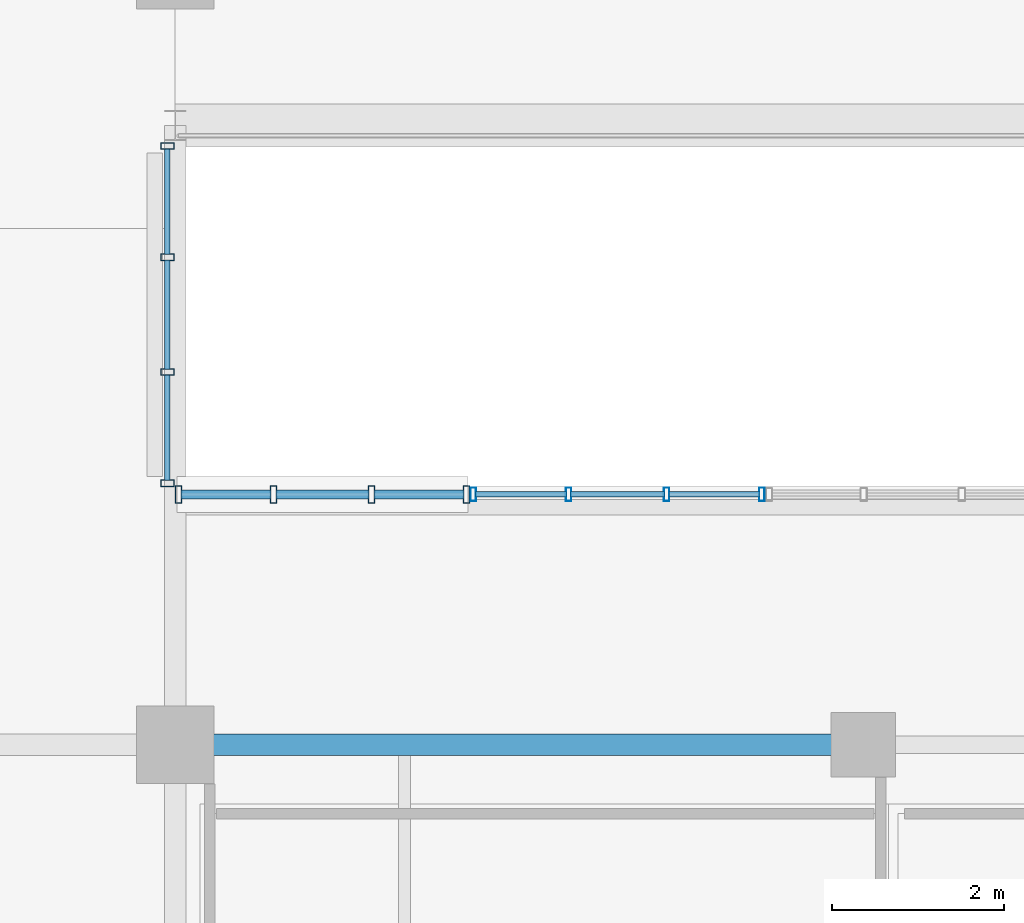
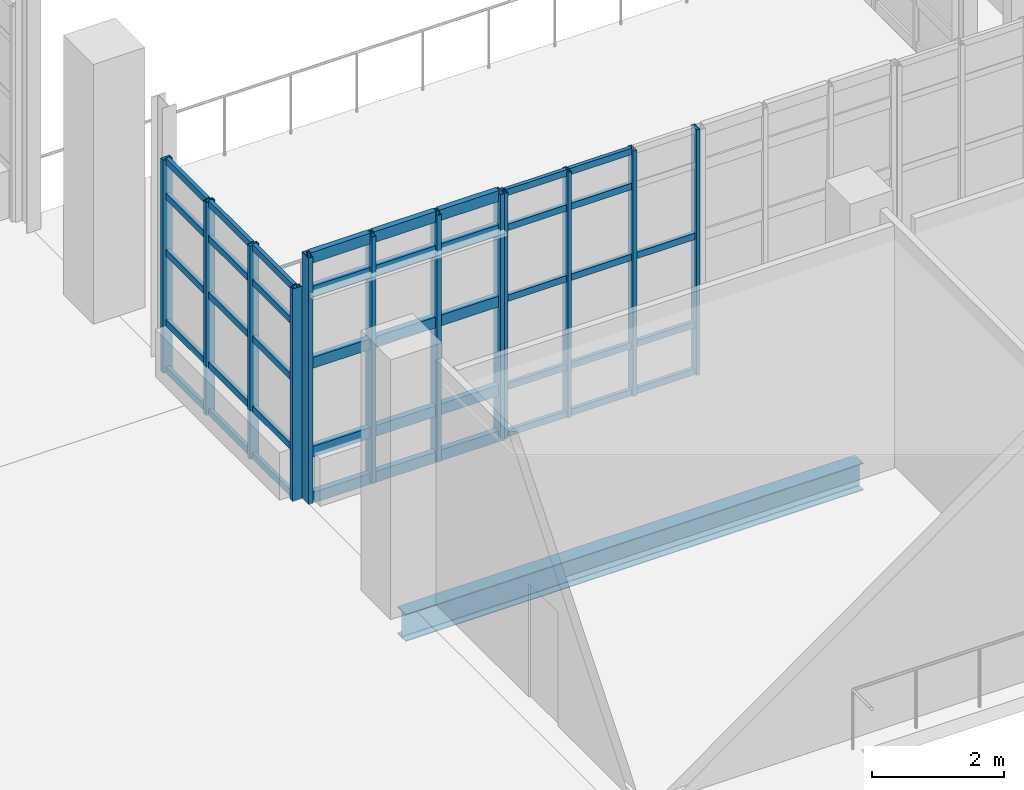
# One storey, part 21 of 100: 55 members, 1 beam, 3 elements without a shape of their own.
"""IFC4 building model written with IfcOpenShell, lengths in metres."""

from ifc_helpers import new_model, si_unit, derived_unit, direction, frame, origin, origin_2d, place, context, subcontext, project, spatial, hollow_rectangle, i_section, extrude, material, layer, layer_set, material_profile, profile_set, type_object, element, aggregate, save


model = new_model("IFC4")

# Units and contexts
model_context = context("Model", 3, precision=1e-05, world=origin(), true_north=direction((0.0, 1.0)))
body_context = subcontext(model_context, "Body", "Model", "MODEL_VIEW")
ifc_project = project(units=[si_unit("LENGTHUNIT", "METRE"), si_unit("AREAUNIT", "SQUARE_METRE"), si_unit("VOLUMEUNIT", "CUBIC_METRE"), si_unit("PLANEANGLEUNIT", "RADIAN"), si_unit("MASSUNIT", "GRAM", prefix="KILO"), derived_unit("THERMALTRANSMITTANCEUNIT", [(si_unit("POWERUNIT", "WATT"), 1), (si_unit("LENGTHUNIT", "METRE"), -2), (si_unit("THERMODYNAMICTEMPERATUREUNIT", "KELVIN"), -1)])], contexts=[model_context])

# Site, building, storey
site_placement = place(None, origin())
site = spatial("IfcSite", under=ifc_project, at=site_placement, CompositionType="ELEMENT")
building_placement = place(site_placement, origin())
building = spatial("IfcBuilding", under=site, at=building_placement, Name="Nallur Shell Playhouse", CompositionType="ELEMENT")
storey_placement = place(building_placement, frame((0.0, 0.0, 10.199951171875)))
storey = spatial("IfcBuildingStorey", under=building, at=storey_placement, Name="L03", CompositionType="ELEMENT", Elevation=10.199951171875)

# Beam
ifc_material_1 = material(Name="Steel E350", Category="steel")
ifc_material_profile_1 = material_profile(ifc_material_1, i_section(OverallWidth=0.25, OverallDepth=0.5, WebThickness=0.010009765625, FlangeThickness=0.0146484375, FilletRadius=0.014892578125, at=origin_2d()), Name="ISWB 500")
ifc_profile_set_1 = profile_set([ifc_material_profile_1], Name="Steel E350")
beam_type = type_object("IfcBeamType", Name="BM-ST-ISWB500", PredefinedType="BEAM", material=ifc_profile_set_1)
beam_placement = place(storey_placement, frame((40.0, 41.0, -0.510009765625), z_axis=(1.0, 0.0, 0.0), x_axis=(0.0, 1.0, 0.0)))
element("IfcBeam", 1, at=beam_placement, inside=storey, type_object=beam_type, Name="L03 girder X-E-595", PredefinedType="BEAM", context=body_context, shape_type="SweptSolid", body=[
    extrude(i_section(OverallWidth=0.25, OverallDepth=0.5, WebThickness=0.010009765625, FlangeThickness=0.0146484375, FilletRadius=0.014892578125, at=origin_2d()), origin(), (0.0, 0.0, 1.0), 8.0),
])

# Curtain wall, members
ifc_material_2 = material(Name="Anodised Aluminium Double-Glazed Facade System", Category="aluminium")
ifc_layer_1 = layer(ifc_material_2, 0.172119140625)
ifc_layer_set_1 = layer_set([ifc_layer_1], Name="Anodised Aluminium Double-Glazed Facade System")
curtain_wall_type_1 = type_object("IfcCurtainWallType", Name="CW-UNIT-27", PredefinedType="NOTDEFINED", material=ifc_layer_set_1)
curtain_wall_1_placement = place(storey_placement, origin())
curtain_wall_1 = element("IfcCurtainWall", 2, at=curtain_wall_1_placement, inside=storey, type_object=curtain_wall_type_1, Name="Unitised curtain wall CW-059 (L03)", PredefinedType="NOTDEFINED")
ifc_material_3 = material(Name="Aluminium Alloy 6063-T6 Mullion", Category="aluminium")
ifc_material_profile_2 = material_profile(ifc_material_3, hollow_rectangle(XDim=0.080078125, YDim=0.159912109375, WallThickness=0.006103515625, at=origin_2d()), Name="RHS 160x80x6")
ifc_profile_set_2 = profile_set([ifc_material_profile_2], Name="Aluminium Alloy 6063-T6 Mullion")
member_type_1 = type_object("IfcMemberType", Name="MB-CW-MUL150", PredefinedType="MULLION", material=ifc_profile_set_2)
member_1_placement = place(storey_placement, frame((39.909912109375, 47.9599609375, -0.014892578125), z_axis=(0.0, 0.0, 1.0), x_axis=(0.0, -1.0, 0.0)))
member_1 = element("IfcMember", 3, at=member_1_placement, type_object=member_type_1, Name="CW-27 mullion 1", PredefinedType="MULLION", context=body_context, shape_type="SweptSolid", body=[
    extrude(hollow_rectangle(XDim=0.080078125, YDim=0.159912109375, WallThickness=0.006103515625, at=origin_2d()), origin(), (0.0, 0.0, 1.0), 3.933837890625),
])
member_2_placement = place(storey_placement, frame((39.909912109375, 46.666748046875, -0.014892578125), z_axis=(0.0, 0.0, 1.0), x_axis=(0.0, -1.0, 0.0)))
member_2 = element("IfcMember", 4, at=member_2_placement, type_object=member_type_1, Name="CW-27 mullion 2", PredefinedType="MULLION", context=body_context, shape_type="SweptSolid", body=[
    extrude(hollow_rectangle(XDim=0.080078125, YDim=0.159912109375, WallThickness=0.006103515625, at=origin_2d()), origin(), (0.0, 0.0, 1.0), 3.933837890625),
])
member_3_placement = place(storey_placement, frame((39.909912109375, 45.333251953125, -0.014892578125), z_axis=(0.0, 0.0, 1.0), x_axis=(0.0, -1.0, 0.0)))
member_3 = element("IfcMember", 5, at=member_3_placement, type_object=member_type_1, Name="CW-27 mullion 3", PredefinedType="MULLION", context=body_context, shape_type="SweptSolid", body=[
    extrude(hollow_rectangle(XDim=0.080078125, YDim=0.159912109375, WallThickness=0.006103515625, at=origin_2d()), origin(), (0.0, 0.0, 1.0), 3.933837890625),
])
member_4_placement = place(storey_placement, frame((39.909912109375, 44.0400390625, -0.014892578125), z_axis=(0.0, 0.0, 1.0), x_axis=(0.0, -1.0, 0.0)))
member_4 = element("IfcMember", 6, at=member_4_placement, type_object=member_type_1, Name="CW-27 mullion 4", PredefinedType="MULLION", context=body_context, shape_type="SweptSolid", body=[
    extrude(hollow_rectangle(XDim=0.080078125, YDim=0.159912109375, WallThickness=0.006103515625, at=origin_2d()), origin(), (0.0, 0.0, 1.0), 3.933837890625),
])

ifc_layer_2 = layer(ifc_material_2, 0.179931640625)
ifc_layer_set_2 = layer_set([ifc_layer_2], Name="Anodised Aluminium Double-Glazed Facade System")
curtain_wall_type_2 = type_object("IfcCurtainWallType", Name="CW-UNIT-29", PredefinedType="NOTDEFINED", material=ifc_layer_set_2)
curtain_wall_2_placement = place(storey_placement, origin())
curtain_wall_2 = element("IfcCurtainWall", 7, at=curtain_wall_2_placement, inside=storey, type_object=curtain_wall_type_2, Name="Unitised curtain wall CW-061 (L03)", PredefinedType="NOTDEFINED")
ifc_material_profile_3 = material_profile(ifc_material_3, hollow_rectangle(XDim=0.06494140625, YDim=0.159912109375, WallThickness=0.00390625, at=origin_2d()), Name="ALU 65x160x4")
ifc_profile_set_3 = profile_set([ifc_material_profile_3], Name="Aluminium Alloy 6063-T6 Mullion")
member_type_2 = type_object("IfcMemberType", Name="MB-CW-MUL160", PredefinedType="MULLION", material=ifc_profile_set_3)
member_5_placement = place(storey_placement, frame((43.466064453125, 43.909912109375, -0.014892578125), z_axis=(0.0, 0.0, 1.0), x_axis=(1.0, 0.0, 0.0)))
member_5 = element("IfcMember", 8, at=member_5_placement, type_object=member_type_2, Name="CW-29 mullion 1", PredefinedType="MULLION", context=body_context, shape_type="SweptSolid", body=[
    extrude(hollow_rectangle(XDim=0.06494140625, YDim=0.159912109375, WallThickness=0.00390625, at=origin_2d()), origin(), (0.0, 0.0, 1.0), 4.5390625),
])
member_6_placement = place(storey_placement, frame((44.572998046875, 43.909912109375, -0.014892578125), z_axis=(0.0, 0.0, 1.0), x_axis=(1.0, 0.0, 0.0)))
member_6 = element("IfcMember", 9, at=member_6_placement, type_object=member_type_2, Name="CW-29 mullion 2", PredefinedType="MULLION", context=body_context, shape_type="SweptSolid", body=[
    extrude(hollow_rectangle(XDim=0.06494140625, YDim=0.159912109375, WallThickness=0.00390625, at=origin_2d()), origin(), (0.0, 0.0, 1.0), 4.5390625),
])
member_7_placement = place(storey_placement, frame((45.712646484375, 43.909912109375, -0.014892578125), z_axis=(0.0, 0.0, 1.0), x_axis=(1.0, 0.0, 0.0)))
member_7 = element("IfcMember", 10, at=member_7_placement, type_object=member_type_2, Name="CW-29 mullion 3", PredefinedType="MULLION", context=body_context, shape_type="SweptSolid", body=[
    extrude(hollow_rectangle(XDim=0.06494140625, YDim=0.159912109375, WallThickness=0.00390625, at=origin_2d()), origin(), (0.0, 0.0, 1.0), 4.5390625),
])
member_8_placement = place(storey_placement, frame((46.819580078125, 43.909912109375, -0.014892578125), z_axis=(0.0, 0.0, 1.0), x_axis=(1.0, 0.0, 0.0)))
member_8 = element("IfcMember", 11, at=member_8_placement, type_object=member_type_2, Name="CW-29 mullion 4", PredefinedType="MULLION", context=body_context, shape_type="SweptSolid", body=[
    extrude(hollow_rectangle(XDim=0.06494140625, YDim=0.159912109375, WallThickness=0.00390625, at=origin_2d()), origin(), (0.0, 0.0, 1.0), 4.5390625),
])

ifc_layer_3 = layer(ifc_material_2, 0.176025390625)
ifc_layer_set_3 = layer_set([ifc_layer_3], Name="Anodised Aluminium Double-Glazed Facade System")
curtain_wall_type_3 = type_object("IfcCurtainWallType", Name="CW-UNIT-28", PredefinedType="NOTDEFINED", material=ifc_layer_set_3)
curtain_wall_3_placement = place(storey_placement, origin())
curtain_wall_3 = element("IfcCurtainWall", 12, at=curtain_wall_3_placement, inside=storey, type_object=curtain_wall_type_3, Name="Unitised curtain wall CW-060 (L03)", PredefinedType="NOTDEFINED")
ifc_material_profile_4 = material_profile(ifc_material_3, hollow_rectangle(XDim=0.074951171875, YDim=0.199951171875, WallThickness=0.0048828125, at=origin_2d()), Name="ALU 75x200x5")
ifc_profile_set_4 = profile_set([ifc_material_profile_4], Name="Aluminium Alloy 6063-T6 Mullion")
member_type_3 = type_object("IfcMemberType", Name="MB-CW-MUL180", PredefinedType="MULLION", material=ifc_profile_set_4)
member_9_placement = place(storey_placement, frame((40.03759765625, 43.909912109375, -0.014892578125), z_axis=(0.0, 0.0, 1.0), x_axis=(1.0, 0.0, 0.0)))
member_9 = element("IfcMember", 13, at=member_9_placement, type_object=member_type_3, Name="CW-28 mullion 1", PredefinedType="MULLION", context=body_context, shape_type="SweptSolid", body=[
    extrude(hollow_rectangle(XDim=0.074951171875, YDim=0.199951171875, WallThickness=0.0048828125, at=origin_2d()), origin(), (0.0, 0.0, 1.0), 4.558837890625),
])
member_10_placement = place(storey_placement, frame((41.14111328125, 43.909912109375, -0.014892578125), z_axis=(0.0, 0.0, 1.0), x_axis=(1.0, 0.0, 0.0)))
member_10 = element("IfcMember", 14, at=member_10_placement, type_object=member_type_3, Name="CW-28 mullion 2", PredefinedType="MULLION", context=body_context, shape_type="SweptSolid", body=[
    extrude(hollow_rectangle(XDim=0.074951171875, YDim=0.199951171875, WallThickness=0.0048828125, at=origin_2d()), origin(), (0.0, 0.0, 1.0), 4.558837890625),
])
member_11_placement = place(storey_placement, frame((42.282470703125, 43.909912109375, -0.014892578125), z_axis=(0.0, 0.0, 1.0), x_axis=(1.0, 0.0, 0.0)))
member_11 = element("IfcMember", 15, at=member_11_placement, type_object=member_type_3, Name="CW-28 mullion 3", PredefinedType="MULLION", context=body_context, shape_type="SweptSolid", body=[
    extrude(hollow_rectangle(XDim=0.074951171875, YDim=0.199951171875, WallThickness=0.0048828125, at=origin_2d()), origin(), (0.0, 0.0, 1.0), 4.558837890625),
])
member_12_placement = place(storey_placement, frame((43.385986328125, 43.909912109375, -0.014892578125), z_axis=(0.0, 0.0, 1.0), x_axis=(1.0, 0.0, 0.0)))
member_12 = element("IfcMember", 16, at=member_12_placement, type_object=member_type_3, Name="CW-28 mullion 4", PredefinedType="MULLION", context=body_context, shape_type="SweptSolid", body=[
    extrude(hollow_rectangle(XDim=0.074951171875, YDim=0.199951171875, WallThickness=0.0048828125, at=origin_2d()), origin(), (0.0, 0.0, 1.0), 4.558837890625),
])

# Member
ifc_material_4 = material(Name="Aluminium Alloy 6063-T6 Transom", Category="aluminium")
ifc_material_profile_5 = material_profile(ifc_material_4, hollow_rectangle(XDim=0.06494140625, YDim=0.1201171875, WallThickness=0.00390625, at=origin_2d()), Name="ALU 65x120x4")
ifc_profile_set_5 = profile_set([ifc_material_profile_5], Name="Aluminium Alloy 6063-T6 Transom")
member_type_4 = type_object("IfcMemberType", Name="MB-CW-TRN120", PredefinedType="USERDEFINED", material=ifc_profile_set_5)
member_13_placement = place(storey_placement, frame((39.909912109375, 47.927978515625, 0.032470703125), z_axis=(0.0, -1.0, 0.0), x_axis=(1.0, 0.0, 0.0)))
member_13 = element("IfcMember", 17, at=member_13_placement, type_object=member_type_4, Name="CW-27 transom 1.1", ObjectType="TRANSOM", PredefinedType="USERDEFINED", context=body_context, shape_type="SweptSolid", body=[
    extrude(hollow_rectangle(XDim=0.06494140625, YDim=0.1201171875, WallThickness=0.00390625, at=origin_2d()), origin(), (0.0, 0.0, 1.0), 1.229248046875),
])

member_14_placement = place(storey_placement, frame((39.909912109375, 47.927978515625, 0.900146484375), z_axis=(0.0, -1.0, 0.0), x_axis=(1.0, 0.0, 0.0)))
member_14 = element("IfcMember", 18, at=member_14_placement, type_object=member_type_4, Name="CW-27 transom 1.2", ObjectType="TRANSOM", PredefinedType="USERDEFINED", context=body_context, shape_type="SweptSolid", body=[
    extrude(hollow_rectangle(XDim=0.06494140625, YDim=0.1201171875, WallThickness=0.00390625, at=origin_2d()), origin(), (0.0, 0.0, 1.0), 1.229248046875),
])

member_15_placement = place(storey_placement, frame((39.909912109375, 47.927978515625, 2.192138671875), z_axis=(0.0, -1.0, 0.0), x_axis=(1.0, 0.0, 0.0)))
member_15 = element("IfcMember", 19, at=member_15_placement, type_object=member_type_4, Name="CW-27 transom 1.3", ObjectType="TRANSOM", PredefinedType="USERDEFINED", context=body_context, shape_type="SweptSolid", body=[
    extrude(hollow_rectangle(XDim=0.06494140625, YDim=0.1201171875, WallThickness=0.00390625, at=origin_2d()), origin(), (0.0, 0.0, 1.0), 1.229248046875),
])

member_16_placement = place(storey_placement, frame((39.909912109375, 47.927978515625, 3.235107421875), z_axis=(0.0, -1.0, 0.0), x_axis=(1.0, 0.0, 0.0)))
member_16 = element("IfcMember", 20, at=member_16_placement, type_object=member_type_4, Name="CW-27 transom 1.4", ObjectType="TRANSOM", PredefinedType="USERDEFINED", context=body_context, shape_type="SweptSolid", body=[
    extrude(hollow_rectangle(XDim=0.06494140625, YDim=0.1201171875, WallThickness=0.00390625, at=origin_2d()), origin(), (0.0, 0.0, 1.0), 1.229248046875),
])

member_17_placement = place(storey_placement, frame((39.909912109375, 47.927978515625, 3.882568359375), z_axis=(0.0, -1.0, 0.0), x_axis=(1.0, 0.0, 0.0)))
member_17 = element("IfcMember", 21, at=member_17_placement, type_object=member_type_4, Name="CW-27 transom 1.5", ObjectType="TRANSOM", PredefinedType="USERDEFINED", context=body_context, shape_type="SweptSolid", body=[
    extrude(hollow_rectangle(XDim=0.06494140625, YDim=0.1201171875, WallThickness=0.00390625, at=origin_2d()), origin(), (0.0, 0.0, 1.0), 1.229248046875),
])

member_18_placement = place(storey_placement, frame((39.909912109375, 46.634765625, 0.032470703125), z_axis=(0.0, -1.0, 0.0), x_axis=(1.0, 0.0, 0.0)))
member_18 = element("IfcMember", 22, at=member_18_placement, type_object=member_type_4, Name="CW-27 transom 2.1", ObjectType="TRANSOM", PredefinedType="USERDEFINED", context=body_context, shape_type="SweptSolid", body=[
    extrude(hollow_rectangle(XDim=0.06494140625, YDim=0.1201171875, WallThickness=0.00390625, at=origin_2d()), origin(), (0.0, 0.0, 1.0), 1.26953125),
])

member_19_placement = place(storey_placement, frame((39.909912109375, 46.634765625, 0.900146484375), z_axis=(0.0, -1.0, 0.0), x_axis=(1.0, 0.0, 0.0)))
member_19 = element("IfcMember", 23, at=member_19_placement, type_object=member_type_4, Name="CW-27 transom 2.2", ObjectType="TRANSOM", PredefinedType="USERDEFINED", context=body_context, shape_type="SweptSolid", body=[
    extrude(hollow_rectangle(XDim=0.06494140625, YDim=0.1201171875, WallThickness=0.00390625, at=origin_2d()), origin(), (0.0, 0.0, 1.0), 1.26953125),
])

member_20_placement = place(storey_placement, frame((39.909912109375, 46.634765625, 2.192138671875), z_axis=(0.0, -1.0, 0.0), x_axis=(1.0, 0.0, 0.0)))
member_20 = element("IfcMember", 24, at=member_20_placement, type_object=member_type_4, Name="CW-27 transom 2.3", ObjectType="TRANSOM", PredefinedType="USERDEFINED", context=body_context, shape_type="SweptSolid", body=[
    extrude(hollow_rectangle(XDim=0.06494140625, YDim=0.1201171875, WallThickness=0.00390625, at=origin_2d()), origin(), (0.0, 0.0, 1.0), 1.26953125),
])

member_21_placement = place(storey_placement, frame((39.909912109375, 46.634765625, 3.235107421875), z_axis=(0.0, -1.0, 0.0), x_axis=(1.0, 0.0, 0.0)))
member_21 = element("IfcMember", 25, at=member_21_placement, type_object=member_type_4, Name="CW-27 transom 2.4", ObjectType="TRANSOM", PredefinedType="USERDEFINED", context=body_context, shape_type="SweptSolid", body=[
    extrude(hollow_rectangle(XDim=0.06494140625, YDim=0.1201171875, WallThickness=0.00390625, at=origin_2d()), origin(), (0.0, 0.0, 1.0), 1.26953125),
])

member_22_placement = place(storey_placement, frame((39.909912109375, 46.634765625, 3.882568359375), z_axis=(0.0, -1.0, 0.0), x_axis=(1.0, 0.0, 0.0)))
member_22 = element("IfcMember", 26, at=member_22_placement, type_object=member_type_4, Name="CW-27 transom 2.5", ObjectType="TRANSOM", PredefinedType="USERDEFINED", context=body_context, shape_type="SweptSolid", body=[
    extrude(hollow_rectangle(XDim=0.06494140625, YDim=0.1201171875, WallThickness=0.00390625, at=origin_2d()), origin(), (0.0, 0.0, 1.0), 1.26953125),
])

member_23_placement = place(storey_placement, frame((39.909912109375, 45.30126953125, 0.032470703125), z_axis=(0.0, -1.0, 0.0), x_axis=(1.0, 0.0, 0.0)))
member_23 = element("IfcMember", 27, at=member_23_placement, type_object=member_type_4, Name="CW-27 transom 3.1", ObjectType="TRANSOM", PredefinedType="USERDEFINED", context=body_context, shape_type="SweptSolid", body=[
    extrude(hollow_rectangle(XDim=0.06494140625, YDim=0.1201171875, WallThickness=0.00390625, at=origin_2d()), origin(), (0.0, 0.0, 1.0), 1.229248046875),
])

member_24_placement = place(storey_placement, frame((39.909912109375, 45.30126953125, 0.900146484375), z_axis=(0.0, -1.0, 0.0), x_axis=(1.0, 0.0, 0.0)))
member_24 = element("IfcMember", 28, at=member_24_placement, type_object=member_type_4, Name="CW-27 transom 3.2", ObjectType="TRANSOM", PredefinedType="USERDEFINED", context=body_context, shape_type="SweptSolid", body=[
    extrude(hollow_rectangle(XDim=0.06494140625, YDim=0.1201171875, WallThickness=0.00390625, at=origin_2d()), origin(), (0.0, 0.0, 1.0), 1.229248046875),
])

member_25_placement = place(storey_placement, frame((39.909912109375, 45.30126953125, 2.192138671875), z_axis=(0.0, -1.0, 0.0), x_axis=(1.0, 0.0, 0.0)))
member_25 = element("IfcMember", 29, at=member_25_placement, type_object=member_type_4, Name="CW-27 transom 3.3", ObjectType="TRANSOM", PredefinedType="USERDEFINED", context=body_context, shape_type="SweptSolid", body=[
    extrude(hollow_rectangle(XDim=0.06494140625, YDim=0.1201171875, WallThickness=0.00390625, at=origin_2d()), origin(), (0.0, 0.0, 1.0), 1.229248046875),
])

member_26_placement = place(storey_placement, frame((39.909912109375, 45.30126953125, 3.235107421875), z_axis=(0.0, -1.0, 0.0), x_axis=(1.0, 0.0, 0.0)))
member_26 = element("IfcMember", 30, at=member_26_placement, type_object=member_type_4, Name="CW-27 transom 3.4", ObjectType="TRANSOM", PredefinedType="USERDEFINED", context=body_context, shape_type="SweptSolid", body=[
    extrude(hollow_rectangle(XDim=0.06494140625, YDim=0.1201171875, WallThickness=0.00390625, at=origin_2d()), origin(), (0.0, 0.0, 1.0), 1.229248046875),
])

member_27_placement = place(storey_placement, frame((39.909912109375, 45.30126953125, 3.882568359375), z_axis=(0.0, -1.0, 0.0), x_axis=(1.0, 0.0, 0.0)))
member_27 = element("IfcMember", 31, at=member_27_placement, type_object=member_type_4, Name="CW-27 transom 3.5", ObjectType="TRANSOM", PredefinedType="USERDEFINED", context=body_context, shape_type="SweptSolid", body=[
    extrude(hollow_rectangle(XDim=0.06494140625, YDim=0.1201171875, WallThickness=0.00390625, at=origin_2d()), origin(), (0.0, 0.0, 1.0), 1.229248046875),
])

aggregate(curtain_wall_1, [member_1, member_2, member_3, member_4, member_13, member_14, member_15, member_16, member_17, member_18, member_19, member_20, member_21, member_22, member_23, member_24, member_25, member_26, member_27])

member_28_placement = place(storey_placement, frame((43.490478515625, 43.909912109375, 0.032470703125), z_axis=(1.0, 0.0, 0.0), x_axis=(0.0, 1.0, 0.0)))
member_28 = element("IfcMember", 32, at=member_28_placement, type_object=member_type_4, Name="CW-29 transom 1.1", ObjectType="TRANSOM", PredefinedType="USERDEFINED", context=body_context, shape_type="SweptSolid", body=[
    extrude(hollow_rectangle(XDim=0.06494140625, YDim=0.1201171875, WallThickness=0.00390625, at=origin_2d()), origin(), (0.0, 0.0, 1.0), 1.05810546875),
])

member_29_placement = place(storey_placement, frame((43.490478515625, 43.909912109375, 0.900146484375), z_axis=(1.0, 0.0, 0.0), x_axis=(0.0, 1.0, 0.0)))
member_29 = element("IfcMember", 33, at=member_29_placement, type_object=member_type_4, Name="CW-29 transom 1.2", ObjectType="TRANSOM", PredefinedType="USERDEFINED", context=body_context, shape_type="SweptSolid", body=[
    extrude(hollow_rectangle(XDim=0.06494140625, YDim=0.1201171875, WallThickness=0.00390625, at=origin_2d()), origin(), (0.0, 0.0, 1.0), 1.05810546875),
])

member_30_placement = place(storey_placement, frame((43.490478515625, 43.909912109375, 2.531005859375), z_axis=(1.0, 0.0, 0.0), x_axis=(0.0, 1.0, 0.0)))
member_30 = element("IfcMember", 34, at=member_30_placement, type_object=member_type_4, Name="CW-29 transom 1.3", ObjectType="TRANSOM", PredefinedType="USERDEFINED", context=body_context, shape_type="SweptSolid", body=[
    extrude(hollow_rectangle(XDim=0.06494140625, YDim=0.1201171875, WallThickness=0.00390625, at=origin_2d()), origin(), (0.0, 0.0, 1.0), 1.05810546875),
])

member_31_placement = place(storey_placement, frame((43.490478515625, 43.909912109375, 3.840087890625), z_axis=(1.0, 0.0, 0.0), x_axis=(0.0, 1.0, 0.0)))
member_31 = element("IfcMember", 35, at=member_31_placement, type_object=member_type_4, Name="CW-29 transom 1.4", ObjectType="TRANSOM", PredefinedType="USERDEFINED", context=body_context, shape_type="SweptSolid", body=[
    extrude(hollow_rectangle(XDim=0.06494140625, YDim=0.1201171875, WallThickness=0.00390625, at=origin_2d()), origin(), (0.0, 0.0, 1.0), 1.05810546875),
])

member_32_placement = place(storey_placement, frame((43.490478515625, 43.909912109375, 4.487548828125), z_axis=(1.0, 0.0, 0.0), x_axis=(0.0, 1.0, 0.0)))
member_32 = element("IfcMember", 36, at=member_32_placement, type_object=member_type_4, Name="CW-29 transom 1.5", ObjectType="TRANSOM", PredefinedType="USERDEFINED", context=body_context, shape_type="SweptSolid", body=[
    extrude(hollow_rectangle(XDim=0.06494140625, YDim=0.1201171875, WallThickness=0.00390625, at=origin_2d()), origin(), (0.0, 0.0, 1.0), 1.05810546875),
])

member_33_placement = place(storey_placement, frame((44.59765625, 43.909912109375, 0.032470703125), z_axis=(1.0, 0.0, 0.0), x_axis=(0.0, 1.0, 0.0)))
member_33 = element("IfcMember", 37, at=member_33_placement, type_object=member_type_4, Name="CW-29 transom 2.1", ObjectType="TRANSOM", PredefinedType="USERDEFINED", context=body_context, shape_type="SweptSolid", body=[
    extrude(hollow_rectangle(XDim=0.06494140625, YDim=0.1201171875, WallThickness=0.00390625, at=origin_2d()), origin(), (0.0, 0.0, 1.0), 1.09033203125),
])

member_34_placement = place(storey_placement, frame((44.59765625, 43.909912109375, 0.900146484375), z_axis=(1.0, 0.0, 0.0), x_axis=(0.0, 1.0, 0.0)))
member_34 = element("IfcMember", 38, at=member_34_placement, type_object=member_type_4, Name="CW-29 transom 2.2", ObjectType="TRANSOM", PredefinedType="USERDEFINED", context=body_context, shape_type="SweptSolid", body=[
    extrude(hollow_rectangle(XDim=0.06494140625, YDim=0.1201171875, WallThickness=0.00390625, at=origin_2d()), origin(), (0.0, 0.0, 1.0), 1.09033203125),
])

member_35_placement = place(storey_placement, frame((44.59765625, 43.909912109375, 2.531005859375), z_axis=(1.0, 0.0, 0.0), x_axis=(0.0, 1.0, 0.0)))
member_35 = element("IfcMember", 39, at=member_35_placement, type_object=member_type_4, Name="CW-29 transom 2.3", ObjectType="TRANSOM", PredefinedType="USERDEFINED", context=body_context, shape_type="SweptSolid", body=[
    extrude(hollow_rectangle(XDim=0.06494140625, YDim=0.1201171875, WallThickness=0.00390625, at=origin_2d()), origin(), (0.0, 0.0, 1.0), 1.09033203125),
])

member_36_placement = place(storey_placement, frame((44.59765625, 43.909912109375, 3.840087890625), z_axis=(1.0, 0.0, 0.0), x_axis=(0.0, 1.0, 0.0)))
member_36 = element("IfcMember", 40, at=member_36_placement, type_object=member_type_4, Name="CW-29 transom 2.4", ObjectType="TRANSOM", PredefinedType="USERDEFINED", context=body_context, shape_type="SweptSolid", body=[
    extrude(hollow_rectangle(XDim=0.06494140625, YDim=0.1201171875, WallThickness=0.00390625, at=origin_2d()), origin(), (0.0, 0.0, 1.0), 1.09033203125),
])

member_37_placement = place(storey_placement, frame((44.59765625, 43.909912109375, 4.487548828125), z_axis=(1.0, 0.0, 0.0), x_axis=(0.0, 1.0, 0.0)))
member_37 = element("IfcMember", 41, at=member_37_placement, type_object=member_type_4, Name="CW-29 transom 2.5", ObjectType="TRANSOM", PredefinedType="USERDEFINED", context=body_context, shape_type="SweptSolid", body=[
    extrude(hollow_rectangle(XDim=0.06494140625, YDim=0.1201171875, WallThickness=0.00390625, at=origin_2d()), origin(), (0.0, 0.0, 1.0), 1.09033203125),
])

member_38_placement = place(storey_placement, frame((45.737060546875, 43.909912109375, 0.032470703125), z_axis=(1.0, 0.0, 0.0), x_axis=(0.0, 1.0, 0.0)))
member_38 = element("IfcMember", 42, at=member_38_placement, type_object=member_type_4, Name="CW-29 transom 3.1", ObjectType="TRANSOM", PredefinedType="USERDEFINED", context=body_context, shape_type="SweptSolid", body=[
    extrude(hollow_rectangle(XDim=0.06494140625, YDim=0.1201171875, WallThickness=0.00390625, at=origin_2d()), origin(), (0.0, 0.0, 1.0), 1.05810546875),
])

member_39_placement = place(storey_placement, frame((45.737060546875, 43.909912109375, 0.900146484375), z_axis=(1.0, 0.0, 0.0), x_axis=(0.0, 1.0, 0.0)))
member_39 = element("IfcMember", 43, at=member_39_placement, type_object=member_type_4, Name="CW-29 transom 3.2", ObjectType="TRANSOM", PredefinedType="USERDEFINED", context=body_context, shape_type="SweptSolid", body=[
    extrude(hollow_rectangle(XDim=0.06494140625, YDim=0.1201171875, WallThickness=0.00390625, at=origin_2d()), origin(), (0.0, 0.0, 1.0), 1.05810546875),
])

member_40_placement = place(storey_placement, frame((45.737060546875, 43.909912109375, 2.531005859375), z_axis=(1.0, 0.0, 0.0), x_axis=(0.0, 1.0, 0.0)))
member_40 = element("IfcMember", 44, at=member_40_placement, type_object=member_type_4, Name="CW-29 transom 3.3", ObjectType="TRANSOM", PredefinedType="USERDEFINED", context=body_context, shape_type="SweptSolid", body=[
    extrude(hollow_rectangle(XDim=0.06494140625, YDim=0.1201171875, WallThickness=0.00390625, at=origin_2d()), origin(), (0.0, 0.0, 1.0), 1.05810546875),
])

aggregate(curtain_wall_2, [member_5, member_6, member_7, member_8, member_28, member_29, member_30, member_31, member_32, member_33, member_34, member_35, member_36, member_37, member_38, member_39, member_40])

ifc_material_profile_6 = material_profile(ifc_material_4, hollow_rectangle(XDim=0.10009765625, YDim=0.199951171875, WallThickness=0.008056640625, at=origin_2d()), Name="RHS 200x100x8")
ifc_profile_set_6 = profile_set([ifc_material_profile_6], Name="Aluminium Alloy 6063-T6 Transom")
member_type_5 = type_object("IfcMemberType", Name="MB-CW-TRN140", PredefinedType="USERDEFINED", material=ifc_profile_set_6)
member_41_placement = place(storey_placement, frame((40.06689453125, 43.909912109375, 0.050048828125), z_axis=(1.0, 0.0, 0.0), x_axis=(0.0, 1.0, 0.0)))
member_41 = element("IfcMember", 45, at=member_41_placement, type_object=member_type_5, Name="CW-28 transom 1.1", ObjectType="TRANSOM", PredefinedType="USERDEFINED", context=body_context, shape_type="SweptSolid", body=[
    extrude(hollow_rectangle(XDim=0.10009765625, YDim=0.199951171875, WallThickness=0.008056640625, at=origin_2d()), origin(), (0.0, 0.0, 1.0), 1.044921875),
])

member_42_placement = place(storey_placement, frame((40.06689453125, 43.909912109375, 0.900146484375), z_axis=(1.0, 0.0, 0.0), x_axis=(0.0, 1.0, 0.0)))
member_42 = element("IfcMember", 46, at=member_42_placement, type_object=member_type_5, Name="CW-28 transom 1.2", ObjectType="TRANSOM", PredefinedType="USERDEFINED", context=body_context, shape_type="SweptSolid", body=[
    extrude(hollow_rectangle(XDim=0.10009765625, YDim=0.199951171875, WallThickness=0.008056640625, at=origin_2d()), origin(), (0.0, 0.0, 1.0), 1.044921875),
])

member_43_placement = place(storey_placement, frame((40.06689453125, 43.909912109375, 2.5419921875), z_axis=(1.0, 0.0, 0.0), x_axis=(0.0, 1.0, 0.0)))
member_43 = element("IfcMember", 47, at=member_43_placement, type_object=member_type_5, Name="CW-28 transom 1.3", ObjectType="TRANSOM", PredefinedType="USERDEFINED", context=body_context, shape_type="SweptSolid", body=[
    extrude(hollow_rectangle(XDim=0.10009765625, YDim=0.199951171875, WallThickness=0.008056640625, at=origin_2d()), origin(), (0.0, 0.0, 1.0), 1.044921875),
])

member_44_placement = place(storey_placement, frame((40.06689453125, 43.909912109375, 3.860107421875), z_axis=(1.0, 0.0, 0.0), x_axis=(0.0, 1.0, 0.0)))
member_44 = element("IfcMember", 48, at=member_44_placement, type_object=member_type_5, Name="CW-28 transom 1.4", ObjectType="TRANSOM", PredefinedType="USERDEFINED", context=body_context, shape_type="SweptSolid", body=[
    extrude(hollow_rectangle(XDim=0.10009765625, YDim=0.199951171875, WallThickness=0.008056640625, at=origin_2d()), origin(), (0.0, 0.0, 1.0), 1.044921875),
])

member_45_placement = place(storey_placement, frame((40.06689453125, 43.909912109375, 4.489990234375), z_axis=(1.0, 0.0, 0.0), x_axis=(0.0, 1.0, 0.0)))
member_45 = element("IfcMember", 49, at=member_45_placement, type_object=member_type_5, Name="CW-28 transom 1.5", ObjectType="TRANSOM", PredefinedType="USERDEFINED", context=body_context, shape_type="SweptSolid", body=[
    extrude(hollow_rectangle(XDim=0.10009765625, YDim=0.199951171875, WallThickness=0.008056640625, at=origin_2d()), origin(), (0.0, 0.0, 1.0), 1.044921875),
])

member_46_placement = place(storey_placement, frame((41.170654296875, 43.909912109375, 0.050048828125), z_axis=(1.0, 0.0, 0.0), x_axis=(0.0, 1.0, 0.0)))
member_46 = element("IfcMember", 50, at=member_46_placement, type_object=member_type_5, Name="CW-28 transom 2.1", ObjectType="TRANSOM", PredefinedType="USERDEFINED", context=body_context, shape_type="SweptSolid", body=[
    extrude(hollow_rectangle(XDim=0.10009765625, YDim=0.199951171875, WallThickness=0.008056640625, at=origin_2d()), origin(), (0.0, 0.0, 1.0), 1.082275390625),
])

member_47_placement = place(storey_placement, frame((41.170654296875, 43.909912109375, 0.900146484375), z_axis=(1.0, 0.0, 0.0), x_axis=(0.0, 1.0, 0.0)))
member_47 = element("IfcMember", 51, at=member_47_placement, type_object=member_type_5, Name="CW-28 transom 2.2", ObjectType="TRANSOM", PredefinedType="USERDEFINED", context=body_context, shape_type="SweptSolid", body=[
    extrude(hollow_rectangle(XDim=0.10009765625, YDim=0.199951171875, WallThickness=0.008056640625, at=origin_2d()), origin(), (0.0, 0.0, 1.0), 1.082275390625),
])

member_48_placement = place(storey_placement, frame((41.170654296875, 43.909912109375, 2.5419921875), z_axis=(1.0, 0.0, 0.0), x_axis=(0.0, 1.0, 0.0)))
member_48 = element("IfcMember", 52, at=member_48_placement, type_object=member_type_5, Name="CW-28 transom 2.3", ObjectType="TRANSOM", PredefinedType="USERDEFINED", context=body_context, shape_type="SweptSolid", body=[
    extrude(hollow_rectangle(XDim=0.10009765625, YDim=0.199951171875, WallThickness=0.008056640625, at=origin_2d()), origin(), (0.0, 0.0, 1.0), 1.082275390625),
])

member_49_placement = place(storey_placement, frame((41.170654296875, 43.909912109375, 3.860107421875), z_axis=(1.0, 0.0, 0.0), x_axis=(0.0, 1.0, 0.0)))
member_49 = element("IfcMember", 53, at=member_49_placement, type_object=member_type_5, Name="CW-28 transom 2.4", ObjectType="TRANSOM", PredefinedType="USERDEFINED", context=body_context, shape_type="SweptSolid", body=[
    extrude(hollow_rectangle(XDim=0.10009765625, YDim=0.199951171875, WallThickness=0.008056640625, at=origin_2d()), origin(), (0.0, 0.0, 1.0), 1.082275390625),
])

member_50_placement = place(storey_placement, frame((41.170654296875, 43.909912109375, 4.489990234375), z_axis=(1.0, 0.0, 0.0), x_axis=(0.0, 1.0, 0.0)))
member_50 = element("IfcMember", 54, at=member_50_placement, type_object=member_type_5, Name="CW-28 transom 2.5", ObjectType="TRANSOM", PredefinedType="USERDEFINED", context=body_context, shape_type="SweptSolid", body=[
    extrude(hollow_rectangle(XDim=0.10009765625, YDim=0.199951171875, WallThickness=0.008056640625, at=origin_2d()), origin(), (0.0, 0.0, 1.0), 1.082275390625),
])

member_51_placement = place(storey_placement, frame((42.31201171875, 43.909912109375, 0.050048828125), z_axis=(1.0, 0.0, 0.0), x_axis=(0.0, 1.0, 0.0)))
member_51 = element("IfcMember", 55, at=member_51_placement, type_object=member_type_5, Name="CW-28 transom 3.1", ObjectType="TRANSOM", PredefinedType="USERDEFINED", context=body_context, shape_type="SweptSolid", body=[
    extrude(hollow_rectangle(XDim=0.10009765625, YDim=0.199951171875, WallThickness=0.008056640625, at=origin_2d()), origin(), (0.0, 0.0, 1.0), 1.044677734375),
])

member_52_placement = place(storey_placement, frame((42.31201171875, 43.909912109375, 0.900146484375), z_axis=(1.0, 0.0, 0.0), x_axis=(0.0, 1.0, 0.0)))
member_52 = element("IfcMember", 56, at=member_52_placement, type_object=member_type_5, Name="CW-28 transom 3.2", ObjectType="TRANSOM", PredefinedType="USERDEFINED", context=body_context, shape_type="SweptSolid", body=[
    extrude(hollow_rectangle(XDim=0.10009765625, YDim=0.199951171875, WallThickness=0.008056640625, at=origin_2d()), origin(), (0.0, 0.0, 1.0), 1.044677734375),
])

member_53_placement = place(storey_placement, frame((42.31201171875, 43.909912109375, 2.5419921875), z_axis=(1.0, 0.0, 0.0), x_axis=(0.0, 1.0, 0.0)))
member_53 = element("IfcMember", 57, at=member_53_placement, type_object=member_type_5, Name="CW-28 transom 3.3", ObjectType="TRANSOM", PredefinedType="USERDEFINED", context=body_context, shape_type="SweptSolid", body=[
    extrude(hollow_rectangle(XDim=0.10009765625, YDim=0.199951171875, WallThickness=0.008056640625, at=origin_2d()), origin(), (0.0, 0.0, 1.0), 1.044677734375),
])

member_54_placement = place(storey_placement, frame((42.31201171875, 43.909912109375, 3.860107421875), z_axis=(1.0, 0.0, 0.0), x_axis=(0.0, 1.0, 0.0)))
member_54 = element("IfcMember", 58, at=member_54_placement, type_object=member_type_5, Name="CW-28 transom 3.4", ObjectType="TRANSOM", PredefinedType="USERDEFINED", context=body_context, shape_type="SweptSolid", body=[
    extrude(hollow_rectangle(XDim=0.10009765625, YDim=0.199951171875, WallThickness=0.008056640625, at=origin_2d()), origin(), (0.0, 0.0, 1.0), 1.044677734375),
])

member_55_placement = place(storey_placement, frame((42.31201171875, 43.909912109375, 4.489990234375), z_axis=(1.0, 0.0, 0.0), x_axis=(0.0, 1.0, 0.0)))
member_55 = element("IfcMember", 59, at=member_55_placement, type_object=member_type_5, Name="CW-28 transom 3.5", ObjectType="TRANSOM", PredefinedType="USERDEFINED", context=body_context, shape_type="SweptSolid", body=[
    extrude(hollow_rectangle(XDim=0.10009765625, YDim=0.199951171875, WallThickness=0.008056640625, at=origin_2d()), origin(), (0.0, 0.0, 1.0), 1.044677734375),
])

aggregate(curtain_wall_3, [member_9, member_10, member_11, member_12, member_41, member_42, member_43, member_44, member_45, member_46, member_47, member_48, member_49, member_50, member_51, member_52, member_53, member_54, member_55])

save(model, "model.ifc")
